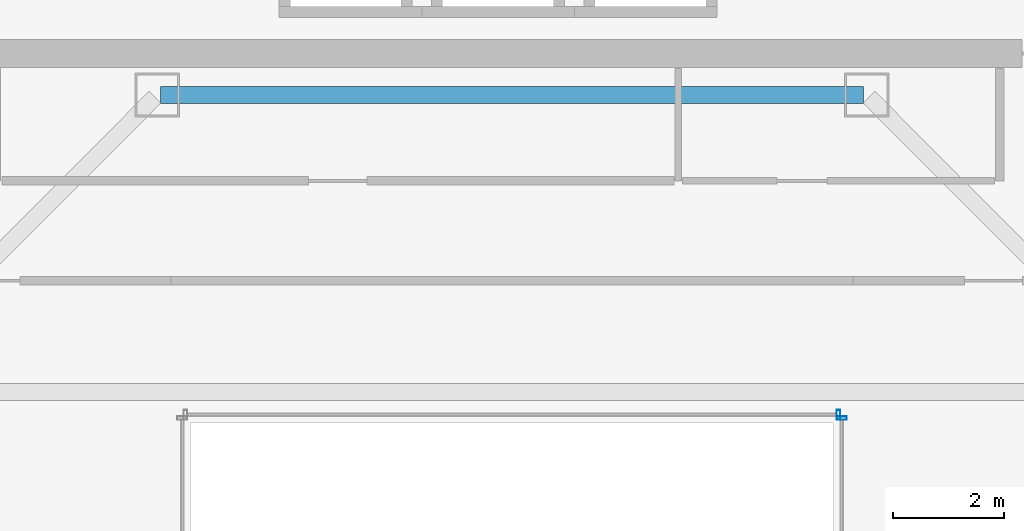
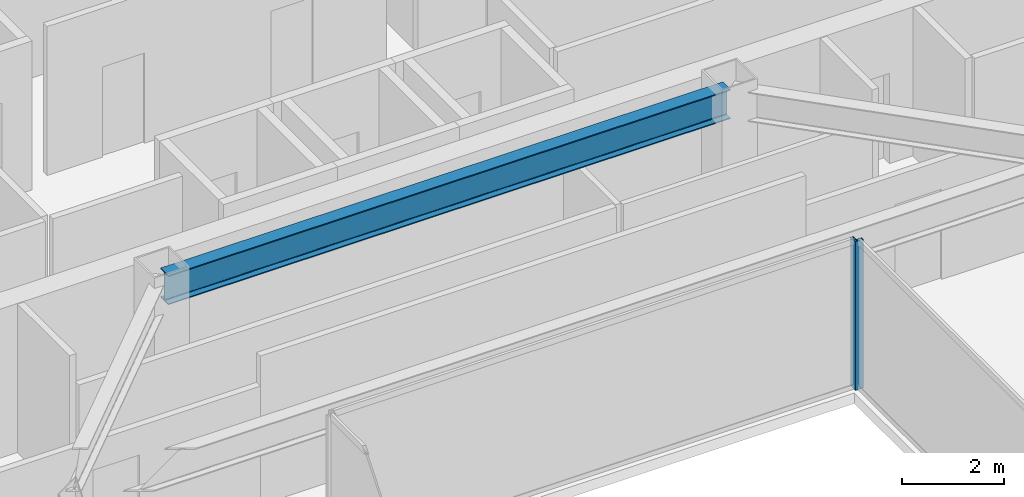
# One storey, part 15 of 36: 2 members, 1 beam, 2 elements without a shape of their own.
"""IFC4 building model written with IfcOpenShell, lengths in metres."""

from ifc_helpers import new_model, si_unit, direction, frame, origin, origin_2d, place, context, subcontext, project, spatial, hollow_rectangle, i_section, extrude, material, material_profile, profile_set, type_object, element, aggregate, save


model = new_model("IFC4")

# Units and contexts
model_context = context("Model", 3, precision=1e-05, world=origin(), true_north=direction((0.0, 1.0)))
body_context = subcontext(model_context, "Body", "Model", "MODEL_VIEW")
ifc_project = project(units=[si_unit("LENGTHUNIT", "METRE"), si_unit("AREAUNIT", "SQUARE_METRE"), si_unit("VOLUMEUNIT", "CUBIC_METRE"), si_unit("PLANEANGLEUNIT", "RADIAN"), si_unit("MASSUNIT", "GRAM", prefix="KILO")], contexts=[model_context])

# Site, building, storey
site_placement = place(None, origin())
site = spatial("IfcSite", under=ifc_project, at=site_placement, CompositionType="ELEMENT")
building_placement = place(site_placement, origin())
building = spatial("IfcBuilding", under=site, at=building_placement, Name="Saevonmaru Cultural Tower", CompositionType="ELEMENT")
storey_placement = place(building_placement, frame((0.0, 0.0, 209.39990234375)))
storey = spatial("IfcBuildingStorey", under=building, at=storey_placement, Name="L48", CompositionType="ELEMENT", Elevation=209.39990234375)

# Beam
ifc_material_1 = material(Name="Steel SM355", Category="steel")
ifc_material_profile_1 = material_profile(ifc_material_1, i_section(OverallWidth=0.300048828125, OverallDepth=0.699951171875, WebThickness=0.012939453125, FlangeThickness=0.02392578125, FilletRadius=0.02587890625, at=origin_2d()), Name="H-700x300x13x24")
ifc_profile_set_1 = profile_set([ifc_material_profile_1], Name="Steel SM355")
beam_type = type_object("IfcBeamType", Name="BM-G-H700", PredefinedType="BEAM", material=ifc_profile_set_1)
beam_placement = place(storey_placement, frame((23.659912109375, 42.39990234375, 3.2001953125), z_axis=(1.0, 0.0, 0.0), x_axis=(0.0, 1.0, 0.0)))
element("IfcBeam", 1, at=beam_placement, inside=storey, type_object=beam_type, Name="L48 Core South Girder 3", PredefinedType="BEAM", context=body_context, shape_type="SweptSolid", body=[
    extrude(i_section(OverallWidth=0.300048828125, OverallDepth=0.699951171875, WebThickness=0.012939453125, FlangeThickness=0.02392578125, FilletRadius=0.02587890625, at=origin_2d()), origin(), (0.0, 0.0, 1.0), 12.68017578125),
])

# Curtain wall, member
ifc_material_2 = material(Name="Satin Bronze Anodised Aluminium", Category="aluminium")
curtain_wall_type = type_object("IfcCurtainWallType", Name="CW-ATR-GLZ", PredefinedType="NOTDEFINED", material=ifc_material_2)
curtain_wall_1_placement = place(storey_placement, origin())
curtain_wall_1 = element("IfcCurtainWall", 2, at=curtain_wall_1_placement, inside=storey, type_object=curtain_wall_type, Name="L48 Vertical Atrium Glazed Smoke Screen 2", PredefinedType="NOTDEFINED")
ifc_material_profile_2 = material_profile(ifc_material_2, hollow_rectangle(XDim=0.06494140625, YDim=0.179931640625, WallThickness=0.00390625, at=origin_2d()), Name="ALU-MULL-180x65x4")
ifc_profile_set_2 = profile_set([ifc_material_profile_2], Name="Satin Bronze Anodised Aluminium")
member_type = type_object("IfcMemberType", Name="ML-CW-INT-180x65", PredefinedType="MULLION", material=ifc_profile_set_2)
member_1_placement = place(storey_placement, frame((35.949951171875, 36.570068359375, 0.0), z_axis=(0.0, 0.0, 1.0), x_axis=(0.0, 1.0, 0.0)))
member_1 = element("IfcMember", 3, at=member_1_placement, type_object=member_type, Name="CW-ATR-L48-2 mullion 2", PredefinedType="MULLION", context=body_context, shape_type="SweptSolid", body=[
    extrude(hollow_rectangle(XDim=0.06494140625, YDim=0.179931640625, WallThickness=0.00390625, at=origin_2d()), origin(), (0.0, 0.0, 1.0), 3.550048828125),
])
aggregate(curtain_wall_1, [member_1])

curtain_wall_2_placement = place(storey_placement, origin())
curtain_wall_2 = element("IfcCurtainWall", 4, at=curtain_wall_2_placement, inside=storey, type_object=curtain_wall_type, Name="L48 Vertical Atrium Glazed Smoke Screen 3", PredefinedType="NOTDEFINED")
member_2_placement = place(storey_placement, frame((35.889892578125, 36.6298828125, 0.0), z_axis=(0.0, 0.0, 1.0), x_axis=(-1.0, 0.0, 0.0)))
member_2 = element("IfcMember", 5, at=member_2_placement, type_object=member_type, Name="CW-ATR-L48-3 mullion 1", PredefinedType="MULLION", context=body_context, shape_type="SweptSolid", body=[
    extrude(hollow_rectangle(XDim=0.06494140625, YDim=0.179931640625, WallThickness=0.00390625, at=origin_2d()), origin(), (0.0, 0.0, 1.0), 3.550048828125),
])
aggregate(curtain_wall_2, [member_2])

save(model, "model.ifc")
